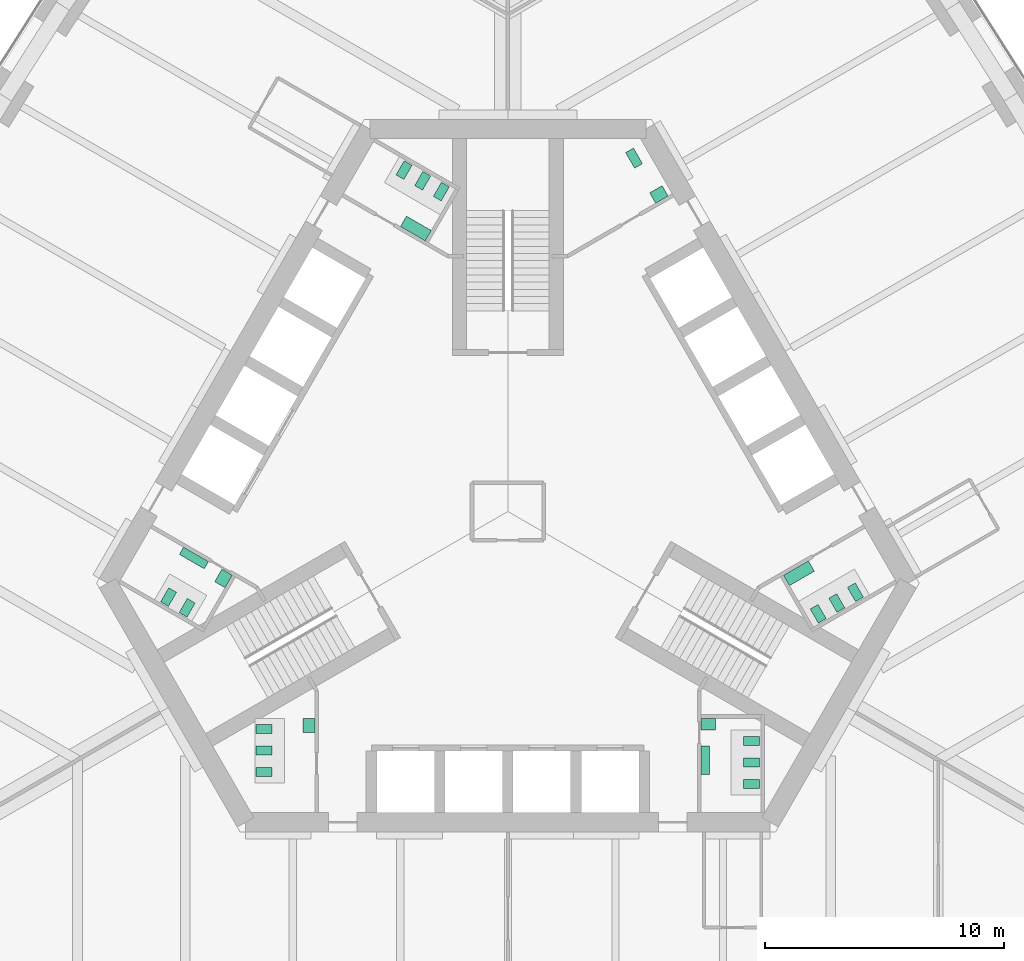
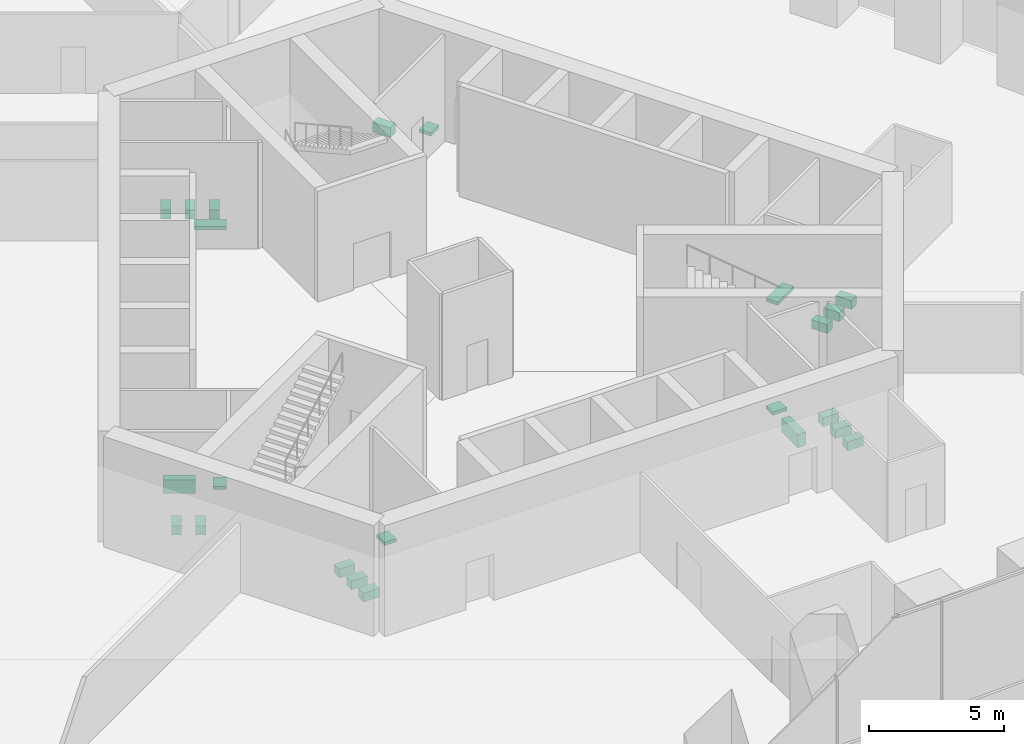
# One storey, part 20 of 21: 23 sanitary terminals.
"""IFC4 building model written with IfcOpenShell, lengths in metres."""

import ifcopenshell
import ifcopenshell.guid

model = None  # the IFC model being written
_history = None  # IfcOwnerHistory: only IFC2X3 demands one
_inside = {}  # id of a spatial element -> (the spatial element, [elements in it])
_under = {}  # id of a project, library or spatial element -> (it, [spatial elements below it])
_declared = {}  # id of a project -> (the project, [libraries it declares])
_typed = {}  # id of a type object -> (the type object, [elements of that type])
_made_of = {}  # id of a material, layer set ... -> (it, [elements and type objects made of it])


def new_model(schema):
    """Start an empty IFC model of exactly this schema.

    Asked for "IFC4X3", IfcOpenShell would pick the latest addendum, in which some entities
    have other attributes; the version numbers below select the first issue.
    IFC2X3 requires an IfcOwnerHistory on every rooted entity: one is made here for all.
    """
    global model, _history
    if schema == "IFC4X3":
        model = ifcopenshell.file(schema_version=(4, 3, 0, 0))
    else:
        model = ifcopenshell.file(schema=schema)
    _inside.clear()
    _under.clear()
    _declared.clear()
    _typed.clear()
    _made_of.clear()
    _history = None
    if model.schema == "IFC2X3":
        org = make("IfcOrganization", Name="unknown")
        user = make(
            "IfcPersonAndOrganization",
            ThePerson=make("IfcPerson", FamilyName="unknown"),
            TheOrganization=org,
        )
        app = make(
            "IfcApplication",
            ApplicationDeveloper=org,
            Version="unknown",
            ApplicationFullName="unknown",
            ApplicationIdentifier="unknown",
        )
        _history = make(
            "IfcOwnerHistory",
            OwningUser=user,
            OwningApplication=app,
            ChangeAction="ADDED",
            CreationDate=0,
        )
    return model


def make(cls, **values):
    """One entity of the class cls with the attributes given. An attribute that is None is left unset."""
    return model.create_entity(
        cls, **{name: value for name, value in values.items() if value is not None}
    )


def rooted(cls, **values):
    """An entity with a GlobalId (a new one), such as an element, a storey or a relation."""
    return make(cls, GlobalId=ifcopenshell.guid.new(), OwnerHistory=_history, **values)


def si_unit(unit_type, name, prefix=None):
    """IfcSIUnit, for example si_unit("LENGTHUNIT", "METRE", prefix="MILLI")."""
    return make("IfcSIUnit", UnitType=unit_type, Prefix=prefix, Name=name)


def assignment(units):
    """IfcUnitAssignment: the units of a project."""
    return None if units is None else make("IfcUnitAssignment", Units=units)


def point(xyz):
    """IfcCartesianPoint."""
    return None if xyz is None else make("IfcCartesianPoint", Coordinates=xyz)


def direction(xyz):
    """IfcDirection."""
    return None if xyz is None else make("IfcDirection", DirectionRatios=xyz)


def frame(location, z_axis=None, x_axis=None):
    """IfcAxis2Placement3D, a coordinate frame: its origin and axes. An axis left out is left unset."""
    return make(
        "IfcAxis2Placement3D",
        Location=point(location),
        Axis=direction(z_axis),
        RefDirection=direction(x_axis),
    )


def origin():
    """The frame at (0, 0, 0) with its axes left unset."""
    return frame((0.0, 0.0, 0.0))


def place(relative_to, where):
    """IfcLocalPlacement: puts the frame where relative to a parent placement (None: the world)."""
    return make(
        "IfcLocalPlacement", PlacementRelTo=relative_to, RelativePlacement=where
    )


def context(
    kind, dimensions, precision=None, world=None, true_north=None, identifier=None
):
    """IfcGeometricRepresentationContext, for example the 3D "Model" context."""
    return make(
        "IfcGeometricRepresentationContext",
        ContextIdentifier=identifier,
        ContextType=kind,
        CoordinateSpaceDimension=dimensions,
        Precision=precision,
        WorldCoordinateSystem=world,
        TrueNorth=true_north,
    )


def subcontext(parent, identifier, kind, view, scale=None):
    """IfcGeometricRepresentationSubContext, for example "Body" below "Model"."""
    return make(
        "IfcGeometricRepresentationSubContext",
        ContextIdentifier=identifier,
        ContextType=kind,
        ParentContext=parent,
        TargetScale=scale,
        TargetView=view,
    )


def project(units=None, contexts=None):
    """IfcProject with its units and contexts."""
    return rooted(
        "IfcProject",
        Name="project",
        RepresentationContexts=contexts,
        UnitsInContext=assignment(units),
    )


def spatial(cls, under=None, at=None, **own):
    """A site, building, storey or space (cls), placed at a placement, below another one or the project."""
    s = rooted(cls, ObjectPlacement=at, **own)
    if under is not None:
        _under.setdefault(under.id(), (under, []))[1].append(s)
    return s


def polyline(points):
    """IfcPolyline through the points."""
    return make("IfcPolyline", Points=[point(p) for p in points])


def outline(outer, holes=None, kind="AREA"):
    """IfcArbitraryClosedProfileDef: a profile drawn as a closed curve; with holes, ...WithVoids."""
    if holes is None:
        return make("IfcArbitraryClosedProfileDef", ProfileType=kind, OuterCurve=outer)
    return make(
        "IfcArbitraryProfileDefWithVoids",
        ProfileType=kind,
        OuterCurve=outer,
        InnerCurves=holes,
    )


def extrude(swept, where, along, depth):
    """IfcExtrudedAreaSolid: the profile swept, set in the frame where, extruded along a direction by depth."""
    return make(
        "IfcExtrudedAreaSolid",
        SweptArea=swept,
        Position=where,
        ExtrudedDirection=direction(along),
        Depth=depth,
    )


def shape(context_of_items, identifier, shape_type, items):
    """IfcShapeRepresentation: the items that make up one representation, for example the "Body"."""
    return make(
        "IfcShapeRepresentation",
        ContextOfItems=context_of_items,
        RepresentationIdentifier=identifier,
        RepresentationType=shape_type,
        Items=items,
    )


def material(Name=None, Category=None):
    """IfcMaterial."""
    return make("IfcMaterial", Name=Name, Category=Category)


def made_of(thing, what):
    """Note that an element or type object is made of a material, layer set ...; save() writes the relation."""
    if what is not None:
        _made_of.setdefault(what.id(), (what, []))[1].append(thing)
    return thing


def type_object(cls, material=None, **own):
    """A type object (cls), such as IfcWallType, which elements share."""
    return made_of(rooted(cls, **own), material)


def element(
    cls,
    number,
    at=None,
    inside=None,
    cuts=None,
    type_object=None,
    material=None,
    context=None,
    identifier="Body",
    shape_type=None,
    held_by="IfcProductDefinitionShape",
    body=None,
    shapes=None,
    **own,
):
    """One element of the class cls, such as IfcWall. Its Tag is "e" and its number.

    at: its placement. inside: the storey or other place that contains it. cuts: it is an
    opening in that element (IfcRelVoidsElement). A single representation is given by context,
    identifier, shape_type and body (its items); several are given by shapes. held_by: the class
    of the entity that holds the representations. save() writes the other relations.
    """
    e = rooted(cls, Tag="e%d" % number, ObjectPlacement=at, **own)
    if body is not None:
        shapes = [shape(context, identifier, shape_type, body)]
    if shapes is not None:
        e.Representation = make(held_by, Representations=shapes)
    if inside is not None:
        _inside.setdefault(inside.id(), (inside, []))[1].append(e)
    if cuts is not None:
        rooted(
            "IfcRelVoidsElement", RelatingBuildingElement=cuts, RelatedOpeningElement=e
        )
    if type_object is not None:
        _typed.setdefault(type_object.id(), (type_object, []))[1].append(e)
    return made_of(e, material)


def aggregate(whole, parts):
    """IfcRelAggregates: a whole, such as a stair, and the parts it consists of."""
    return rooted("IfcRelAggregates", RelatingObject=whole, RelatedObjects=parts)


def save(model, path):
    """Write the relations noted so far, then the file.

    IfcRelAggregates (storeys below a building ...), IfcRelContainedInSpatialStructure (elements
    in a storey), IfcRelDefinesByType, IfcRelAssociatesMaterial and IfcRelDeclares: one each for
    every whole, place, type object, material and project.
    """
    for whole, parts in _under.values():
        aggregate(whole, parts)
    for where, things in _inside.values():
        rooted(
            "IfcRelContainedInSpatialStructure",
            RelatedElements=things,
            RelatingStructure=where,
        )
    for kind, things in _typed.values():
        rooted("IfcRelDefinesByType", RelatedObjects=things, RelatingType=kind)
    for what, things in _made_of.values():
        rooted("IfcRelAssociatesMaterial", RelatedObjects=things, RelatingMaterial=what)
    for by, libraries in _declared.values():
        rooted("IfcRelDeclares", RelatingContext=by, RelatedDefinitions=libraries)
    model.write(path)


model = new_model("IFC4")

# Units and contexts
model_context = context("Model", 3, precision=1e-05, world=origin(), true_north=direction((0.0, 1.0)))
body_context = subcontext(model_context, "Body", "Model", "MODEL_VIEW")
ifc_project = project(units=[si_unit("LENGTHUNIT", "METRE"), si_unit("AREAUNIT", "SQUARE_METRE"), si_unit("VOLUMEUNIT", "CUBIC_METRE"), si_unit("PLANEANGLEUNIT", "RADIAN"), si_unit("MASSUNIT", "GRAM", prefix="KILO")], contexts=[model_context])

# Site, building, storey
site_placement = place(None, origin())
site = spatial("IfcSite", under=ifc_project, at=site_placement, CompositionType="ELEMENT")
building_placement = place(site_placement, origin())
building = spatial("IfcBuilding", under=site, at=building_placement, Name="Trefoil Bronze Tower", CompositionType="ELEMENT")
storey_placement = place(building_placement, frame((0.0, 0.0, 6.5)))
storey = spatial("IfcBuildingStorey", under=building, at=storey_placement, Name="L01", CompositionType="ELEMENT", Elevation=6.5)

# Sanitary terminals
ifc_material_1 = material(Name="Vitreous china", Category="ceramic")
sanitary_terminal_type_1 = type_object("IfcSanitaryTerminalType", Name="Accessible WC pan", PredefinedType="TOILETPAN", material=ifc_material_1)
sanitary_terminal_1_placement = place(storey_placement, origin())
element("IfcSanitaryTerminal", 1, at=sanitary_terminal_1_placement, inside=storey, type_object=sanitary_terminal_type_1, Name="WC pan 1 Accessible WC L01", PredefinedType="TOILETPAN", context=body_context, shape_type="SweptSolid", body=[
    extrude(outline(polyline([(5.300537109375, 14.359130859375), (4.925537109375, 15.008544921875), (5.254638671875, 15.198486328125), (5.629638671875, 14.549072265625), (5.300537109375, 14.359130859375)])), origin(), (0.0, 0.0, 1.0), 0.449951171875),
])
ifc_material_2 = material(Name="Vitreous china", Category="ceramic")
sanitary_terminal_type_2 = type_object("IfcSanitaryTerminalType", Name="Accessible basin", PredefinedType="WASHHANDBASIN", material=ifc_material_2)
sanitary_terminal_2_placement = place(storey_placement, frame((0.0, 0.0, 0.64990234375)))
element("IfcSanitaryTerminal", 2, at=sanitary_terminal_2_placement, inside=storey, type_object=sanitary_terminal_type_2, Name="Wash basin Accessible WC L01", PredefinedType="WASHHANDBASIN", context=body_context, shape_type="SweptSolid", body=[
    extrude(outline(polyline([(6.181640625, 12.89306640625), (5.931640625, 13.326171875), (6.451171875, 13.626220703125), (6.701171875, 13.193115234375), (6.181640625, 12.89306640625)])), origin(), (0.0, 0.0, 1.0), 0.150146484375),
])
ifc_material_3 = material(Name="Vitreous china", Category="ceramic")
sanitary_terminal_type_3 = type_object("IfcSanitaryTerminalType", Name="Urinal range 2 urinals", PredefinedType="URINAL", material=ifc_material_3)
sanitary_terminal_3_placement = place(storey_placement, frame((0.0, 0.0, 0.39990234375)))
element("IfcSanitaryTerminal", 3, at=sanitary_terminal_3_placement, inside=storey, type_object=sanitary_terminal_type_3, Name="Urinal range WC (men) L01", PredefinedType="URINAL", context=body_context, shape_type="SweptSolid", body=[
    extrude(outline(polyline([(8.074951171875, -9.800048828125), (8.425048828125, -9.800048828125), (8.425048828125, -11.0), (8.074951171875, -11.0), (8.074951171875, -9.800048828125)])), origin(), (0.0, 0.0, 1.0), 0.60009765625),
])
sanitary_terminal_4_placement = place(storey_placement, frame((0.0, 0.0, 0.39990234375)))
element("IfcSanitaryTerminal", 4, at=sanitary_terminal_4_placement, inside=storey, type_object=sanitary_terminal_type_3, Name="Urinal range WC (men) L01", PredefinedType="URINAL", context=body_context, shape_type="SweptSolid", body=[
    extrude(outline(polyline([(-12.524658203125, -2.09326171875), (-12.699462890625, -2.396240234375), (-13.73876953125, -1.796142578125), (-13.563720703125, -1.4931640625), (-12.524658203125, -2.09326171875)])), origin(), (0.0, 0.0, 1.0), 0.60009765625),
])
ifc_material_4 = material(Name="Solid surface vanity", Category="plastic")
sanitary_terminal_type_4 = type_object("IfcSanitaryTerminalType", Name="Vanity unit 1 basins", PredefinedType="WASHHANDBASIN", material=ifc_material_4)
sanitary_terminal_5_placement = place(storey_placement, frame((0.0, 0.0, 0.75)))
element("IfcSanitaryTerminal", 5, at=sanitary_terminal_5_placement, inside=storey, type_object=sanitary_terminal_type_4, Name="Vanity unit WC (men) L01", PredefinedType="WASHHANDBASIN", context=body_context, shape_type="SweptSolid", body=[
    extrude(outline(polyline([(8.074951171875, -8.64990234375), (8.675048828125, -8.64990234375), (8.675048828125, -9.14990234375), (8.074951171875, -9.14990234375), (8.074951171875, -8.64990234375)])), origin(), (0.0, 0.0, 1.0), 0.14990234375),
])
sanitary_terminal_6_placement = place(storey_placement, frame((0.0, 0.0, 0.75)))
element("IfcSanitaryTerminal", 6, at=sanitary_terminal_6_placement, inside=storey, type_object=sanitary_terminal_type_4, Name="Vanity unit WC (men) L01", PredefinedType="WASHHANDBASIN", context=body_context, shape_type="SweptSolid", body=[
    extrude(outline(polyline([(-11.528564453125, -2.668212890625), (-11.82861328125, -3.187744140625), (-12.26171875, -2.937744140625), (-11.961669921875, -2.418212890625), (-11.528564453125, -2.668212890625)])), origin(), (0.0, 0.0, 1.0), 0.14990234375),
])
sanitary_terminal_7_placement = place(storey_placement, frame((0.0, 0.0, 0.75)))
element("IfcSanitaryTerminal", 7, at=sanitary_terminal_7_placement, inside=storey, type_object=sanitary_terminal_type_4, Name="Vanity unit WC (women) L01", PredefinedType="WASHHANDBASIN", context=body_context, shape_type="SweptSolid", body=[
    extrude(outline(polyline([(-8.074951171875, -8.64990234375), (-8.574951171875, -8.64990234375), (-8.574951171875, -9.25), (-8.074951171875, -9.25), (-8.074951171875, -8.64990234375)])), origin(), (0.0, 0.0, 1.0), 0.14990234375),
])
ifc_material_5 = material(Name="Solid surface vanity", Category="plastic")
sanitary_terminal_type_5 = type_object("IfcSanitaryTerminalType", Name="Vanity unit 2 basins", PredefinedType="WASHHANDBASIN", material=ifc_material_5)
sanitary_terminal_8_placement = place(storey_placement, frame((0.0, 0.0, 0.75)))
element("IfcSanitaryTerminal", 8, at=sanitary_terminal_8_placement, inside=storey, type_object=sanitary_terminal_type_5, Name="Vanity unit WC (women) L01", PredefinedType="WASHHANDBASIN", context=body_context, shape_type="SweptSolid", body=[
    extrude(outline(polyline([(11.528564453125, -2.668212890625), (11.778564453125, -3.10107421875), (12.81787109375, -2.501220703125), (12.56787109375, -2.068115234375), (11.528564453125, -2.668212890625)])), origin(), (0.0, 0.0, 1.0), 0.14990234375),
])
sanitary_terminal_9_placement = place(storey_placement, frame((0.0, 0.0, 0.75)))
element("IfcSanitaryTerminal", 9, at=sanitary_terminal_9_placement, inside=storey, type_object=sanitary_terminal_type_5, Name="Vanity unit WC (women) L01", PredefinedType="WASHHANDBASIN", context=body_context, shape_type="SweptSolid", body=[
    extrude(outline(polyline([(-3.45361328125, 11.318115234375), (-3.20361328125, 11.751220703125), (-4.242919921875, 12.35107421875), (-4.492919921875, 11.918212890625), (-3.45361328125, 11.318115234375)])), origin(), (0.0, 0.0, 1.0), 0.14990234375),
])
ifc_material_6 = material(Name="Vitreous china", Category="ceramic")
sanitary_terminal_type_6 = type_object("IfcSanitaryTerminalType", Name="WC pan", PredefinedType="TOILETPAN", material=ifc_material_6)
sanitary_terminal_10_placement = place(storey_placement, origin())
element("IfcSanitaryTerminal", 10, at=sanitary_terminal_10_placement, inside=storey, type_object=sanitary_terminal_type_6, Name="WC pan 1 WC (men) L01", PredefinedType="TOILETPAN", context=body_context, shape_type="SweptSolid", body=[
    extrude(outline(polyline([(9.85498046875, -9.409912109375), (10.534912109375, -9.409912109375), (10.534912109375, -9.7900390625), (9.85498046875, -9.7900390625), (9.85498046875, -9.409912109375)])), origin(), (0.0, 0.0, 1.0), 0.39990234375),
])
sanitary_terminal_11_placement = place(storey_placement, origin())
element("IfcSanitaryTerminal", 11, at=sanitary_terminal_11_placement, inside=storey, type_object=sanitary_terminal_type_6, Name="WC pan 2 WC (men) L01", PredefinedType="TOILETPAN", context=body_context, shape_type="SweptSolid", body=[
    extrude(outline(polyline([(9.85498046875, -10.31005859375), (10.534912109375, -10.31005859375), (10.534912109375, -10.68994140625), (9.85498046875, -10.68994140625), (9.85498046875, -10.31005859375)])), origin(), (0.0, 0.0, 1.0), 0.39990234375),
])
sanitary_terminal_12_placement = place(storey_placement, origin())
element("IfcSanitaryTerminal", 12, at=sanitary_terminal_12_placement, inside=storey, type_object=sanitary_terminal_type_6, Name="WC pan 3 WC (men) L01", PredefinedType="TOILETPAN", context=body_context, shape_type="SweptSolid", body=[
    extrude(outline(polyline([(9.85498046875, -11.2099609375), (10.534912109375, -11.2099609375), (10.534912109375, -11.590087890625), (9.85498046875, -11.590087890625), (9.85498046875, -11.2099609375)])), origin(), (0.0, 0.0, 1.0), 0.39990234375),
])
sanitary_terminal_13_placement = place(storey_placement, origin())
element("IfcSanitaryTerminal", 13, at=sanitary_terminal_13_placement, inside=storey, type_object=sanitary_terminal_type_6, Name="WC pan 1 WC (women) L01", PredefinedType="TOILETPAN", context=body_context, shape_type="SweptSolid", body=[
    extrude(outline(polyline([(12.643798828125, -4.07958984375), (12.98388671875, -4.66845703125), (13.31298828125, -4.478515625), (12.972900390625, -3.8896484375), (12.643798828125, -4.07958984375)])), origin(), (0.0, 0.0, 1.0), 0.39990234375),
])
sanitary_terminal_14_placement = place(storey_placement, origin())
element("IfcSanitaryTerminal", 14, at=sanitary_terminal_14_placement, inside=storey, type_object=sanitary_terminal_type_6, Name="WC pan 2 WC (women) L01", PredefinedType="TOILETPAN", context=body_context, shape_type="SweptSolid", body=[
    extrude(outline(polyline([(13.423095703125, -3.629638671875), (13.76318359375, -4.218505859375), (14.09228515625, -4.028564453125), (13.752197265625, -3.439697265625), (13.423095703125, -3.629638671875)])), origin(), (0.0, 0.0, 1.0), 0.39990234375),
])
sanitary_terminal_15_placement = place(storey_placement, origin())
element("IfcSanitaryTerminal", 15, at=sanitary_terminal_15_placement, inside=storey, type_object=sanitary_terminal_type_6, Name="WC pan 3 WC (women) L01", PredefinedType="TOILETPAN", context=body_context, shape_type="SweptSolid", body=[
    extrude(outline(polyline([(14.20263671875, -3.1796875), (14.542724609375, -3.7685546875), (14.871826171875, -3.57861328125), (14.53173828125, -2.98974609375), (14.20263671875, -3.1796875)])), origin(), (0.0, 0.0, 1.0), 0.39990234375),
])
sanitary_terminal_16_placement = place(storey_placement, origin())
element("IfcSanitaryTerminal", 16, at=sanitary_terminal_16_placement, inside=storey, type_object=sanitary_terminal_type_6, Name="WC pan 1 WC (women) L01", PredefinedType="TOILETPAN", context=body_context, shape_type="SweptSolid", body=[
    extrude(outline(polyline([(-2.788818359375, 12.98974609375), (-2.44873046875, 13.57861328125), (-2.77783203125, 13.7685546875), (-3.117919921875, 13.1796875), (-2.788818359375, 12.98974609375)])), origin(), (0.0, 0.0, 1.0), 0.39990234375),
])
sanitary_terminal_17_placement = place(storey_placement, origin())
element("IfcSanitaryTerminal", 17, at=sanitary_terminal_17_placement, inside=storey, type_object=sanitary_terminal_type_6, Name="WC pan 2 WC (women) L01", PredefinedType="TOILETPAN", context=body_context, shape_type="SweptSolid", body=[
    extrude(outline(polyline([(-3.568115234375, 13.439697265625), (-3.228271484375, 14.028564453125), (-3.557373046875, 14.218505859375), (-3.897216796875, 13.629638671875), (-3.568115234375, 13.439697265625)])), origin(), (0.0, 0.0, 1.0), 0.39990234375),
])
sanitary_terminal_18_placement = place(storey_placement, origin())
element("IfcSanitaryTerminal", 18, at=sanitary_terminal_18_placement, inside=storey, type_object=sanitary_terminal_type_6, Name="WC pan 3 WC (women) L01", PredefinedType="TOILETPAN", context=body_context, shape_type="SweptSolid", body=[
    extrude(outline(polyline([(-4.34765625, 13.8896484375), (-4.007568359375, 14.478515625), (-4.336669921875, 14.66845703125), (-4.6767578125, 14.07958984375), (-4.34765625, 13.8896484375)])), origin(), (0.0, 0.0, 1.0), 0.39990234375),
])
sanitary_terminal_19_placement = place(storey_placement, origin())
element("IfcSanitaryTerminal", 19, at=sanitary_terminal_19_placement, inside=storey, type_object=sanitary_terminal_type_6, Name="WC pan 1 WC (men) L01", PredefinedType="TOILETPAN", context=body_context, shape_type="SweptSolid", body=[
    extrude(outline(polyline([(-13.076904296875, -3.82958984375), (-13.416748046875, -4.41845703125), (-13.745849609375, -4.228515625), (-13.406005859375, -3.6396484375), (-13.076904296875, -3.82958984375)])), origin(), (0.0, 0.0, 1.0), 0.39990234375),
])
sanitary_terminal_20_placement = place(storey_placement, origin())
element("IfcSanitaryTerminal", 20, at=sanitary_terminal_20_placement, inside=storey, type_object=sanitary_terminal_type_6, Name="WC pan 2 WC (men) L01", PredefinedType="TOILETPAN", context=body_context, shape_type="SweptSolid", body=[
    extrude(outline(polyline([(-13.856201171875, -3.379638671875), (-14.1962890625, -3.968505859375), (-14.525390625, -3.778564453125), (-14.185302734375, -3.189697265625), (-13.856201171875, -3.379638671875)])), origin(), (0.0, 0.0, 1.0), 0.39990234375),
])
sanitary_terminal_21_placement = place(storey_placement, origin())
element("IfcSanitaryTerminal", 21, at=sanitary_terminal_21_placement, inside=storey, type_object=sanitary_terminal_type_6, Name="WC pan 1 WC (women) L01", PredefinedType="TOILETPAN", context=body_context, shape_type="SweptSolid", body=[
    extrude(outline(polyline([(-9.85498046875, -8.909912109375), (-10.534912109375, -8.909912109375), (-10.534912109375, -9.2900390625), (-9.85498046875, -9.2900390625), (-9.85498046875, -8.909912109375)])), origin(), (0.0, 0.0, 1.0), 0.39990234375),
])
sanitary_terminal_22_placement = place(storey_placement, origin())
element("IfcSanitaryTerminal", 22, at=sanitary_terminal_22_placement, inside=storey, type_object=sanitary_terminal_type_6, Name="WC pan 2 WC (women) L01", PredefinedType="TOILETPAN", context=body_context, shape_type="SweptSolid", body=[
    extrude(outline(polyline([(-9.85498046875, -9.81005859375), (-10.534912109375, -9.81005859375), (-10.534912109375, -10.18994140625), (-9.85498046875, -10.18994140625), (-9.85498046875, -9.81005859375)])), origin(), (0.0, 0.0, 1.0), 0.39990234375),
])
sanitary_terminal_23_placement = place(storey_placement, origin())
element("IfcSanitaryTerminal", 23, at=sanitary_terminal_23_placement, inside=storey, type_object=sanitary_terminal_type_6, Name="WC pan 3 WC (women) L01", PredefinedType="TOILETPAN", context=body_context, shape_type="SweptSolid", body=[
    extrude(outline(polyline([(-9.85498046875, -10.7099609375), (-10.534912109375, -10.7099609375), (-10.534912109375, -11.090087890625), (-9.85498046875, -11.090087890625), (-9.85498046875, -10.7099609375)])), origin(), (0.0, 0.0, 1.0), 0.39990234375),
])

save(model, "model.ifc")
